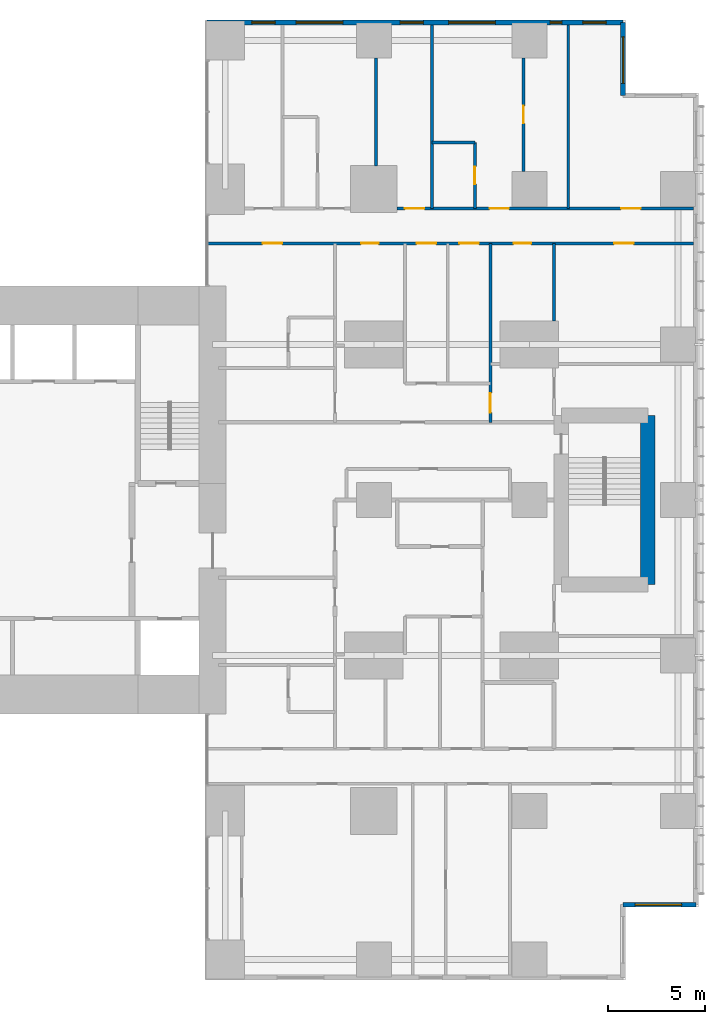
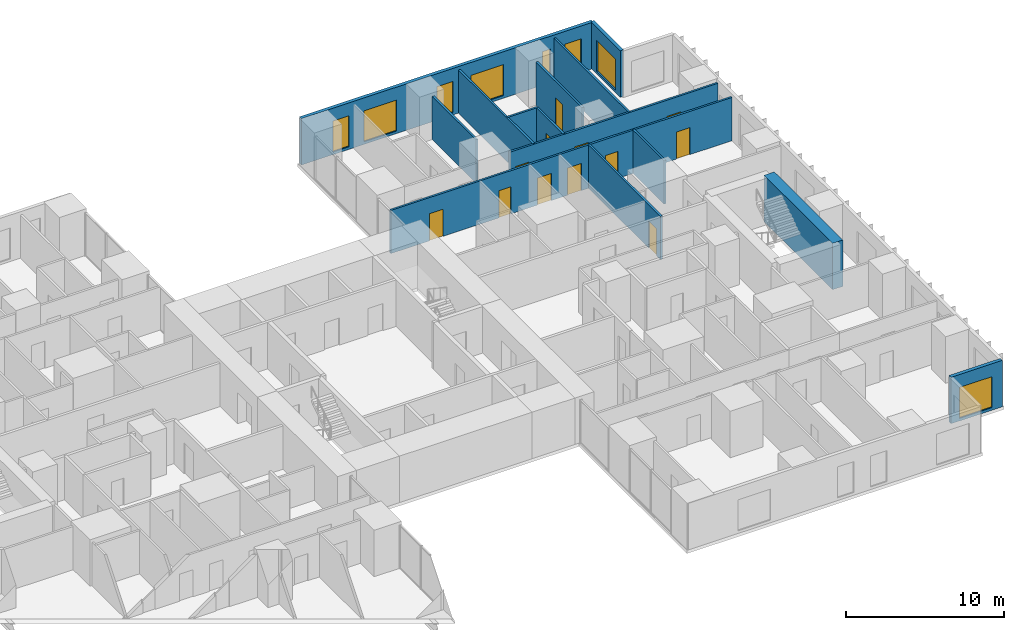
# One storey, part 18 of 20: 14 walls, 12 doors, 8 windows, 20 openings.
"""IFC4 building model written with IfcOpenShell, lengths in metres."""

from ifc_helpers import new_model, si_unit, direction, frame, frame_2d, origin, place, context, subcontext, project, spatial, rectangle, extrude, material, layer, layer_set, type_object, element, fill, save


model = new_model("IFC4")

# Units and contexts
model_context = context("Model", 3, precision=1e-05, world=origin(), true_north=direction((0.0, 1.0)))
body_context = subcontext(model_context, "Body", "Model", "MODEL_VIEW")
ifc_project = project(units=[si_unit("LENGTHUNIT", "METRE"), si_unit("AREAUNIT", "SQUARE_METRE"), si_unit("VOLUMEUNIT", "CUBIC_METRE"), si_unit("PLANEANGLEUNIT", "RADIAN"), si_unit("MASSUNIT", "GRAM", prefix="KILO")], contexts=[model_context])

# Site, building, storey
site_placement = place(None, origin())
site = spatial("IfcSite", under=ifc_project, at=site_placement, CompositionType="ELEMENT")
building_placement = place(site_placement, origin())
building = spatial("IfcBuilding", under=site, at=building_placement, Name="Cleftline Residences", CompositionType="ELEMENT")
storey_placement = place(building_placement, frame((0.0, 0.0, 207.39990234375)))
storey = spatial("IfcBuildingStorey", under=building, at=storey_placement, Name="L54", CompositionType="ELEMENT", Elevation=207.39990234375)

# Wall, opening, window
ifc_material_1 = material(Name="Rendered reinforced concrete blockwork", Category="masonry")
ifc_layer_1 = layer(ifc_material_1, 0.25)
ifc_layer_set_1 = layer_set([ifc_layer_1], Name="EXTERNAL WALL 250")
wall_type_1 = type_object("IfcWallType", Name="EXTERNAL WALL 250", PredefinedType="SOLIDWALL", material=ifc_layer_set_1)
wall_1_placement = place(storey_placement, frame((62.824951171875, 3.175048828125, 0.0), z_axis=(0.0, 0.0, 1.0), x_axis=(1.0, 0.0, 0.0)))
wall_1 = element("IfcWall", 1, at=wall_1_placement, inside=storey, type_object=wall_type_1, Name="External wall", PredefinedType="SOLIDWALL", context=body_context, shape_type="SweptSolid", body=[
    extrude(rectangle(XDim=3.75, YDim=0.25, at=frame_2d((1.875, 0.0))), origin(), (0.0, 0.0, 1.0), 3.60009765625),
])
opening_1_placement = place(wall_1_placement, frame((0.612548828125, 0.0, 0.199951171875)))
opening_1 = element("IfcOpeningElement", 2, at=opening_1_placement, cuts=wall_1, Name="Opening W9", PredefinedType="OPENING", context=body_context, shape_type="SweptSolid", body=[
    extrude(rectangle(XDim=2.39990234375, YDim=2.39990234375, at=frame_2d((1.199951171875, 1.199951171875))), frame((0.0, 0.135009765625, 0.0), z_axis=(0.0, -1.0, 0.0), x_axis=(1.0, 0.0, 0.0)), (0.0, 0.0, 1.0), 0.27001953125),
])
ifc_material_2 = material(Name="Aluminium frame, clear double glazing", Category="aluminium")
window_type_1 = type_object("IfcWindowType", Name="WINDOW 2400X2400", PartitioningType="DOUBLE_PANEL_VERTICAL", PredefinedType="WINDOW", material=ifc_material_2)
window_1_placement = place(opening_1_placement, origin())
window_1 = element("IfcWindow", 3, at=window_1_placement, inside=storey, type_object=window_type_1, Name="Window", OverallHeight=2.39990234375, OverallWidth=2.39990234375, PartitioningType="SINGLE_PANEL", PredefinedType="WINDOW", context=body_context, shape_type="SweptSolid", body=[
    extrude(rectangle(XDim=2.39990234375, YDim=2.39990234375, at=frame_2d((1.199951171875, 1.199951171875))), frame((0.0, 0.030029296875, 0.0), z_axis=(0.0, -1.0, 0.0), x_axis=(1.0, 0.0, 0.0)), (0.0, 0.0, 1.0), 0.06005859375),
])
fill(opening_1, window_1)

wall_2_placement = place(storey_placement, frame((62.824951171875, 44.824951171875, 0.0), z_axis=(0.0, 0.0, 1.0), x_axis=(0.0, 1.0, 0.0)))
wall_2 = element("IfcWall", 4, at=wall_2_placement, inside=storey, type_object=wall_type_1, Name="External wall", PredefinedType="SOLIDWALL", context=body_context, shape_type="SweptSolid", body=[
    extrude(rectangle(XDim=3.75, YDim=0.25, at=frame_2d((1.875, 0.0))), origin(), (0.0, 0.0, 1.0), 3.60009765625),
])
opening_2_placement = place(wall_2_placement, frame((0.612548828125, 0.0, 0.199951171875)))
opening_2 = element("IfcOpeningElement", 5, at=opening_2_placement, cuts=wall_2, Name="Opening W9", PredefinedType="OPENING", context=body_context, shape_type="SweptSolid", body=[
    extrude(rectangle(XDim=2.39990234375, YDim=2.39990234375, at=frame_2d((1.199951171875, 1.199951171875))), frame((0.0, 0.135009765625, 0.0), z_axis=(0.0, -1.0, 0.0), x_axis=(1.0, 0.0, 0.0)), (0.0, 0.0, 1.0), 0.27001953125),
])
window_2_placement = place(opening_2_placement, origin())
window_2 = element("IfcWindow", 6, at=window_2_placement, inside=storey, type_object=window_type_1, Name="Window", OverallHeight=2.39990234375, OverallWidth=2.39990234375, PartitioningType="SINGLE_PANEL", PredefinedType="WINDOW", context=body_context, shape_type="SweptSolid", body=[
    extrude(rectangle(XDim=2.39990234375, YDim=2.39990234375, at=frame_2d((1.199951171875, 1.199951171875))), frame((0.0, 0.030029296875, 0.0), z_axis=(0.0, -1.0, 0.0), x_axis=(1.0, 0.0, 0.0)), (0.0, 0.0, 1.0), 0.06005859375),
])
fill(opening_2, window_2)

# Wall, openings, windows
wall_3_placement = place(storey_placement, frame((62.824951171875, 48.574951171875, 0.0), z_axis=(0.0, 0.0, 1.0), x_axis=(-1.0, 0.0, 0.0)))
wall_3 = element("IfcWall", 7, at=wall_3_placement, inside=storey, type_object=wall_type_1, Name="External wall", PredefinedType="SOLIDWALL", context=body_context, shape_type="SweptSolid", body=[
    extrude(rectangle(XDim=21.39990234375, YDim=0.25, at=frame_2d((10.699951171875, 0.0))), origin(), (0.0, 0.0, 1.0), 3.60009765625),
])
opening_3_placement = place(wall_3_placement, frame((0.875, 0.0, 0.199951171875)))
opening_3 = element("IfcOpeningElement", 8, at=opening_3_placement, cuts=wall_3, Name="Opening W13", PredefinedType="OPENING", context=body_context, shape_type="SweptSolid", body=[
    extrude(rectangle(XDim=1.199951171875, YDim=2.39990234375, at=frame_2d((0.60009765625, 1.199951171875))), frame((0.0, 0.135009765625, 0.0), z_axis=(0.0, -1.0, 0.0), x_axis=(1.0, 0.0, 0.0)), (0.0, 0.0, 1.0), 0.27001953125),
])
opening_4_placement = place(wall_3_placement, frame((3.14990234375, 0.0, 0.199951171875)))
opening_4 = element("IfcOpeningElement", 9, at=opening_4_placement, cuts=wall_3, Name="Opening W14", PredefinedType="OPENING", context=body_context, shape_type="SweptSolid", body=[
    extrude(rectangle(XDim=0.60009765625, YDim=2.39990234375, at=frame_2d((0.300048828125, 1.199951171875))), frame((0.0, 0.135009765625, 0.0), z_axis=(0.0, -1.0, 0.0), x_axis=(1.0, 0.0, 0.0)), (0.0, 0.0, 1.0), 0.27001953125),
])
opening_5_placement = place(wall_3_placement, frame((6.574951171875, 0.0, 0.199951171875)))
opening_5 = element("IfcOpeningElement", 10, at=opening_5_placement, cuts=wall_3, Name="Opening W9", PredefinedType="OPENING", context=body_context, shape_type="SweptSolid", body=[
    extrude(rectangle(XDim=2.39990234375, YDim=2.39990234375, at=frame_2d((1.199951171875, 1.199951171875))), frame((0.0, 0.135009765625, 0.0), z_axis=(0.0, -1.0, 0.0), x_axis=(1.0, 0.0, 0.0)), (0.0, 0.0, 1.0), 0.27001953125),
])
opening_6_placement = place(wall_3_placement, frame((10.27490234375, 0.0, 0.199951171875)))
opening_6 = element("IfcOpeningElement", 11, at=opening_6_placement, cuts=wall_3, Name="Opening W13", PredefinedType="OPENING", context=body_context, shape_type="SweptSolid", body=[
    extrude(rectangle(XDim=1.199951171875, YDim=2.39990234375, at=frame_2d((0.60009765625, 1.199951171875))), frame((0.0, 0.135009765625, 0.0), z_axis=(0.0, -1.0, 0.0), x_axis=(1.0, 0.0, 0.0)), (0.0, 0.0, 1.0), 0.27001953125),
])
opening_7_placement = place(wall_3_placement, frame((14.425048828125, 0.0, 0.199951171875)))
opening_7 = element("IfcOpeningElement", 12, at=opening_7_placement, cuts=wall_3, Name="Opening W9", PredefinedType="OPENING", context=body_context, shape_type="SweptSolid", body=[
    extrude(rectangle(XDim=2.39990234375, YDim=2.39990234375, at=frame_2d((1.199951171875, 1.199951171875))), frame((0.0, 0.135009765625, 0.0), z_axis=(0.0, -1.0, 0.0), x_axis=(1.0, 0.0, 0.0)), (0.0, 0.0, 1.0), 0.27001953125),
])
opening_8_placement = place(wall_3_placement, frame((17.89990234375, 0.0, 0.199951171875)))
opening_8 = element("IfcOpeningElement", 13, at=opening_8_placement, cuts=wall_3, Name="Opening W13", PredefinedType="OPENING", context=body_context, shape_type="SweptSolid", body=[
    extrude(rectangle(XDim=1.199951171875, YDim=2.39990234375, at=frame_2d((0.60009765625, 1.199951171875))), frame((0.0, 0.135009765625, 0.0), z_axis=(0.0, -1.0, 0.0), x_axis=(1.0, 0.0, 0.0)), (0.0, 0.0, 1.0), 0.27001953125),
])
ifc_material_3 = material(Name="Aluminium frame, clear double glazing", Category="aluminium")
window_type_2 = type_object("IfcWindowType", Name="WINDOW 1200X2400", PartitioningType="DOUBLE_PANEL_VERTICAL", PredefinedType="WINDOW", material=ifc_material_3)
window_3_placement = place(opening_3_placement, origin())
window_3 = element("IfcWindow", 14, at=window_3_placement, inside=storey, type_object=window_type_2, Name="Window", OverallHeight=2.39990234375, OverallWidth=1.199951171875, PartitioningType="SINGLE_PANEL", PredefinedType="WINDOW", context=body_context, shape_type="SweptSolid", body=[
    extrude(rectangle(XDim=1.199951171875, YDim=2.39990234375, at=frame_2d((0.60009765625, 1.199951171875))), frame((0.0, 0.030029296875, 0.0), z_axis=(0.0, -1.0, 0.0), x_axis=(1.0, 0.0, 0.0)), (0.0, 0.0, 1.0), 0.06005859375),
])
fill(opening_3, window_3)
window_4_placement = place(opening_6_placement, origin())
window_4 = element("IfcWindow", 15, at=window_4_placement, inside=storey, type_object=window_type_2, Name="Window", OverallHeight=2.39990234375, OverallWidth=1.199951171875, PartitioningType="SINGLE_PANEL", PredefinedType="WINDOW", context=body_context, shape_type="SweptSolid", body=[
    extrude(rectangle(XDim=1.199951171875, YDim=2.39990234375, at=frame_2d((0.60009765625, 1.199951171875))), frame((0.0, 0.030029296875, 0.0), z_axis=(0.0, -1.0, 0.0), x_axis=(1.0, 0.0, 0.0)), (0.0, 0.0, 1.0), 0.06005859375),
])
fill(opening_6, window_4)
window_5_placement = place(opening_8_placement, origin())
window_5 = element("IfcWindow", 16, at=window_5_placement, inside=storey, type_object=window_type_2, Name="Window", OverallHeight=2.39990234375, OverallWidth=1.199951171875, PartitioningType="SINGLE_PANEL", PredefinedType="WINDOW", context=body_context, shape_type="SweptSolid", body=[
    extrude(rectangle(XDim=1.199951171875, YDim=2.39990234375, at=frame_2d((0.60009765625, 1.199951171875))), frame((0.0, 0.030029296875, 0.0), z_axis=(0.0, -1.0, 0.0), x_axis=(1.0, 0.0, 0.0)), (0.0, 0.0, 1.0), 0.06005859375),
])
fill(opening_8, window_5)
window_6_placement = place(opening_5_placement, origin())
window_6 = element("IfcWindow", 17, at=window_6_placement, inside=storey, type_object=window_type_1, Name="Window", OverallHeight=2.39990234375, OverallWidth=2.39990234375, PartitioningType="SINGLE_PANEL", PredefinedType="WINDOW", context=body_context, shape_type="SweptSolid", body=[
    extrude(rectangle(XDim=2.39990234375, YDim=2.39990234375, at=frame_2d((1.199951171875, 1.199951171875))), frame((0.0, 0.030029296875, 0.0), z_axis=(0.0, -1.0, 0.0), x_axis=(1.0, 0.0, 0.0)), (0.0, 0.0, 1.0), 0.06005859375),
])
fill(opening_5, window_6)
window_7_placement = place(opening_7_placement, origin())
window_7 = element("IfcWindow", 18, at=window_7_placement, inside=storey, type_object=window_type_1, Name="Window", OverallHeight=2.39990234375, OverallWidth=2.39990234375, PartitioningType="SINGLE_PANEL", PredefinedType="WINDOW", context=body_context, shape_type="SweptSolid", body=[
    extrude(rectangle(XDim=2.39990234375, YDim=2.39990234375, at=frame_2d((1.199951171875, 1.199951171875))), frame((0.0, 0.030029296875, 0.0), z_axis=(0.0, -1.0, 0.0), x_axis=(1.0, 0.0, 0.0)), (0.0, 0.0, 1.0), 0.06005859375),
])
fill(opening_7, window_7)
ifc_material_4 = material(Name="Aluminium frame, clear double glazing", Category="aluminium")
window_type_3 = type_object("IfcWindowType", Name="WINDOW 600X2400", PartitioningType="DOUBLE_PANEL_VERTICAL", PredefinedType="WINDOW", material=ifc_material_4)
window_8_placement = place(opening_4_placement, origin())
window_8 = element("IfcWindow", 19, at=window_8_placement, inside=storey, type_object=window_type_3, Name="Window", OverallHeight=2.39990234375, OverallWidth=0.60009765625, PartitioningType="SINGLE_PANEL", PredefinedType="WINDOW", context=body_context, shape_type="SweptSolid", body=[
    extrude(rectangle(XDim=0.60009765625, YDim=2.39990234375, at=frame_2d((0.300048828125, 1.199951171875))), frame((0.0, 0.030029296875, 0.0), z_axis=(0.0, -1.0, 0.0), x_axis=(1.0, 0.0, 0.0)), (0.0, 0.0, 1.0), 0.06005859375),
])
fill(opening_4, window_8)

# Wall, openings, doors
ifc_material_5 = material(Name="Gypsum board on steel studs", Category="steel")
ifc_layer_2 = layer(ifc_material_5, 0.14990234375)
ifc_layer_set_2 = layer_set([ifc_layer_2], Name="PARTITION 150")
wall_type_2 = type_object("IfcWallType", Name="PARTITION 150", PredefinedType="PARTITIONING", material=ifc_layer_set_2)
wall_4_placement = place(storey_placement, frame((41.43896484375, 37.199951171875, 0.0), z_axis=(0.0, 0.0, 1.0), x_axis=(1.0, 0.0, 0.0)))
wall_4 = element("IfcWall", 20, at=wall_4_placement, inside=storey, type_object=wall_type_2, Name="Partition", PredefinedType="PARTITIONING", context=body_context, shape_type="SweptSolid", body=[
    extrude(rectangle(XDim=25.010986328125, YDim=0.14990234375, at=frame_2d((12.50537109375, 0.0))), origin(), (0.0, 0.0, 1.0), 3.35009765625),
])
opening_9_placement = place(wall_4_placement, frame((10.760986328125, 0.0, 0.0)))
opening_9 = element("IfcOpeningElement", 21, at=opening_9_placement, cuts=wall_4, Name="Opening D2", PredefinedType="OPENING", context=body_context, shape_type="SweptSolid", body=[
    extrude(rectangle(XDim=1.0, YDim=2.10009765625, at=frame_2d((0.5, 1.050048828125))), frame((0.0, 0.0849609375, 0.0), z_axis=(0.0, -1.0, 0.0), x_axis=(1.0, 0.0, 0.0)), (0.0, 0.0, 1.0), 0.169921875),
])
opening_10_placement = place(wall_4_placement, frame((20.923583984375, 0.0, 0.0)))
opening_10 = element("IfcOpeningElement", 22, at=opening_10_placement, cuts=wall_4, Name="Opening D2", PredefinedType="OPENING", context=body_context, shape_type="SweptSolid", body=[
    extrude(rectangle(XDim=1.0, YDim=2.10009765625, at=frame_2d((0.5, 1.050048828125))), frame((0.0, 0.0849609375, 0.0), z_axis=(0.0, -1.0, 0.0), x_axis=(1.0, 0.0, 0.0)), (0.0, 0.0, 1.0), 0.169921875),
])
opening_11_placement = place(wall_4_placement, frame((15.74853515625, 0.0, 0.0)))
opening_11 = element("IfcOpeningElement", 23, at=opening_11_placement, cuts=wall_4, Name="Opening D1", PredefinedType="OPENING", context=body_context, shape_type="SweptSolid", body=[
    extrude(rectangle(XDim=0.89990234375, YDim=2.10009765625, at=frame_2d((0.449951171875, 1.050048828125))), frame((0.0, 0.0849609375, 0.0), z_axis=(0.0, -1.0, 0.0), x_axis=(1.0, 0.0, 0.0)), (0.0, 0.0, 1.0), 0.169921875),
])
opening_12_placement = place(wall_4_placement, frame((12.9609375, 0.0, 0.0)))
opening_12 = element("IfcOpeningElement", 24, at=opening_12_placement, cuts=wall_4, Name="Opening D2", PredefinedType="OPENING", context=body_context, shape_type="SweptSolid", body=[
    extrude(rectangle(XDim=1.0, YDim=2.10009765625, at=frame_2d((0.5, 1.050048828125))), frame((0.0, 0.0849609375, 0.0), z_axis=(0.0, -1.0, 0.0), x_axis=(1.0, 0.0, 0.0)), (0.0, 0.0, 1.0), 0.169921875),
])
opening_13_placement = place(wall_4_placement, frame((7.910888671875, 0.0, 0.0)))
opening_13 = element("IfcOpeningElement", 25, at=opening_13_placement, cuts=wall_4, Name="Opening D1", PredefinedType="OPENING", context=body_context, shape_type="SweptSolid", body=[
    extrude(rectangle(XDim=0.89990234375, YDim=2.10009765625, at=frame_2d((0.449951171875, 1.050048828125))), frame((0.0, 0.0849609375, 0.0), z_axis=(0.0, -1.0, 0.0), x_axis=(1.0, 0.0, 0.0)), (0.0, 0.0, 1.0), 0.169921875),
])
opening_14_placement = place(wall_4_placement, frame((2.8359375, 0.0, 0.0)))
opening_14 = element("IfcOpeningElement", 26, at=opening_14_placement, cuts=wall_4, Name="Opening D2", PredefinedType="OPENING", context=body_context, shape_type="SweptSolid", body=[
    extrude(rectangle(XDim=1.0, YDim=2.10009765625, at=frame_2d((0.5, 1.050048828125))), frame((0.0, 0.0849609375, 0.0), z_axis=(0.0, -1.0, 0.0), x_axis=(1.0, 0.0, 0.0)), (0.0, 0.0, 1.0), 0.169921875),
])
ifc_material_6 = material(Name="Timber veneer on solid core", Category="wood")
door_type_1 = type_object("IfcDoorType", Name="DOOR 1000X2100", OperationType="SINGLE_SWING_LEFT", PredefinedType="DOOR", material=ifc_material_6)
door_1_placement = place(opening_9_placement, origin())
door_1 = element("IfcDoor", 27, at=door_1_placement, inside=storey, type_object=door_type_1, Name="Door to residence hall", OperationType="SINGLE_SWING_RIGHT", OverallHeight=2.10009765625, OverallWidth=1.0, PredefinedType="DOOR", context=body_context, shape_type="SweptSolid", body=[
    extrude(rectangle(XDim=1.0, YDim=2.10009765625, at=frame_2d((0.5, 1.050048828125))), frame((0.0, 0.02490234375, 0.0), z_axis=(0.0, -1.0, 0.0), x_axis=(1.0, 0.0, 0.0)), (0.0, 0.0, 1.0), 0.050048828125),
])
fill(opening_9, door_1)
door_2_placement = place(opening_10_placement, origin())
door_2 = element("IfcDoor", 28, at=door_2_placement, inside=storey, type_object=door_type_1, Name="Door to master bedroom", OperationType="SINGLE_SWING_LEFT", OverallHeight=2.10009765625, OverallWidth=1.0, PredefinedType="DOOR", context=body_context, shape_type="SweptSolid", body=[
    extrude(rectangle(XDim=1.0, YDim=2.10009765625, at=frame_2d((0.5, 1.050048828125))), frame((0.0, 0.02490234375, 0.0), z_axis=(0.0, -1.0, 0.0), x_axis=(1.0, 0.0, 0.0)), (0.0, 0.0, 1.0), 0.050048828125),
])
fill(opening_10, door_2)
door_3_placement = place(opening_12_placement, origin())
door_3 = element("IfcDoor", 29, at=door_3_placement, inside=storey, type_object=door_type_1, Name="Door to family room", OperationType="SINGLE_SWING_LEFT", OverallHeight=2.10009765625, OverallWidth=1.0, PredefinedType="DOOR", context=body_context, shape_type="SweptSolid", body=[
    extrude(rectangle(XDim=1.0, YDim=2.10009765625, at=frame_2d((0.5, 1.050048828125))), frame((0.0, 0.02490234375, 0.0), z_axis=(0.0, -1.0, 0.0), x_axis=(1.0, 0.0, 0.0)), (0.0, 0.0, 1.0), 0.050048828125),
])
fill(opening_12, door_3)
door_4_placement = place(opening_14_placement, origin())
door_4 = element("IfcDoor", 30, at=door_4_placement, inside=storey, type_object=door_type_1, Name="Door to bedroom 4", OperationType="SINGLE_SWING_RIGHT", OverallHeight=2.10009765625, OverallWidth=1.0, PredefinedType="DOOR", context=body_context, shape_type="SweptSolid", body=[
    extrude(rectangle(XDim=1.0, YDim=2.10009765625, at=frame_2d((0.5, 1.050048828125))), frame((0.0, 0.02490234375, 0.0), z_axis=(0.0, -1.0, 0.0), x_axis=(1.0, 0.0, 0.0)), (0.0, 0.0, 1.0), 0.050048828125),
])
fill(opening_14, door_4)
ifc_material_7 = material(Name="Timber veneer on solid core", Category="wood")
door_type_2 = type_object("IfcDoorType", Name="DOOR 900X2100", OperationType="SINGLE_SWING_LEFT", PredefinedType="DOOR", material=ifc_material_7)
door_5_placement = place(opening_11_placement, origin())
door_5 = element("IfcDoor", 31, at=door_5_placement, inside=storey, type_object=door_type_2, Name="Door to master bathroom", OperationType="SINGLE_SWING_LEFT", OverallHeight=2.10009765625, OverallWidth=0.89990234375, PredefinedType="DOOR", context=body_context, shape_type="SweptSolid", body=[
    extrude(rectangle(XDim=0.89990234375, YDim=2.10009765625, at=frame_2d((0.449951171875, 1.050048828125))), frame((0.0, 0.02490234375, 0.0), z_axis=(0.0, -1.0, 0.0), x_axis=(1.0, 0.0, 0.0)), (0.0, 0.0, 1.0), 0.050048828125),
])
fill(opening_11, door_5)
door_6_placement = place(opening_13_placement, origin())
door_6 = element("IfcDoor", 32, at=door_6_placement, inside=storey, type_object=door_type_2, Name="Door to master dressing room", OperationType="SINGLE_SWING_RIGHT", OverallHeight=2.10009765625, OverallWidth=0.89990234375, PredefinedType="DOOR", context=body_context, shape_type="SweptSolid", body=[
    extrude(rectangle(XDim=0.89990234375, YDim=2.10009765625, at=frame_2d((0.449951171875, 1.050048828125))), frame((0.0, 0.02490234375, 0.0), z_axis=(0.0, -1.0, 0.0), x_axis=(1.0, 0.0, 0.0)), (0.0, 0.0, 1.0), 0.050048828125),
])
fill(opening_13, door_6)

wall_5_placement = place(storey_placement, frame((51.199951171875, 39.0, 0.0), z_axis=(0.0, 0.0, 1.0), x_axis=(1.0, 0.0, 0.0)))
wall_5 = element("IfcWall", 33, at=wall_5_placement, inside=storey, type_object=wall_type_2, Name="Partition", PredefinedType="PARTITIONING", context=body_context, shape_type="SweptSolid", body=[
    extrude(rectangle(XDim=15.25, YDim=0.14990234375, at=frame_2d((7.625, 0.0))), origin(), (0.0, 0.0, 1.0), 3.35009765625),
])
opening_15_placement = place(wall_5_placement, frame((11.52490234375, 0.0, 0.0)))
opening_15 = element("IfcOpeningElement", 34, at=opening_15_placement, cuts=wall_5, Name="Opening D2", PredefinedType="OPENING", context=body_context, shape_type="SweptSolid", body=[
    extrude(rectangle(XDim=1.0, YDim=2.10009765625, at=frame_2d((0.5, 1.050048828125))), frame((0.0, 0.0849609375, 0.0), z_axis=(0.0, -1.0, 0.0), x_axis=(1.0, 0.0, 0.0)), (0.0, 0.0, 1.0), 0.169921875),
])
opening_16_placement = place(wall_5_placement, frame((4.75, 0.0, 0.0)))
opening_16 = element("IfcOpeningElement", 35, at=opening_16_placement, cuts=wall_5, Name="Opening D2", PredefinedType="OPENING", context=body_context, shape_type="SweptSolid", body=[
    extrude(rectangle(XDim=1.0, YDim=2.10009765625, at=frame_2d((0.5, 1.050048828125))), frame((0.0, 0.0849609375, 0.0), z_axis=(0.0, -1.0, 0.0), x_axis=(1.0, 0.0, 0.0)), (0.0, 0.0, 1.0), 0.169921875),
])
opening_17_placement = place(wall_5_placement, frame((0.39990234375, 0.0, 0.0)))
opening_17 = element("IfcOpeningElement", 36, at=opening_17_placement, cuts=wall_5, Name="Opening D2", PredefinedType="OPENING", context=body_context, shape_type="SweptSolid", body=[
    extrude(rectangle(XDim=1.0, YDim=2.10009765625, at=frame_2d((0.5, 1.050048828125))), frame((0.0, 0.0849609375, 0.0), z_axis=(0.0, -1.0, 0.0), x_axis=(1.0, 0.0, 0.0)), (0.0, 0.0, 1.0), 0.169921875),
])
door_7_placement = place(opening_15_placement, origin())
door_7 = element("IfcDoor", 37, at=door_7_placement, inside=storey, type_object=door_type_1, Name="Door to gym", OperationType="SINGLE_SWING_LEFT", OverallHeight=2.10009765625, OverallWidth=1.0, PredefinedType="DOOR", context=body_context, shape_type="SweptSolid", body=[
    extrude(rectangle(XDim=1.0, YDim=2.10009765625, at=frame_2d((0.5, 1.050048828125))), frame((0.0, 0.02490234375, 0.0), z_axis=(0.0, -1.0, 0.0), x_axis=(1.0, 0.0, 0.0)), (0.0, 0.0, 1.0), 0.050048828125),
])
fill(opening_15, door_7)
door_8_placement = place(opening_16_placement, origin())
door_8 = element("IfcDoor", 38, at=door_8_placement, inside=storey, type_object=door_type_1, Name="Door to bedroom 2", OperationType="SINGLE_SWING_RIGHT", OverallHeight=2.10009765625, OverallWidth=1.0, PredefinedType="DOOR", context=body_context, shape_type="SweptSolid", body=[
    extrude(rectangle(XDim=1.0, YDim=2.10009765625, at=frame_2d((0.5, 1.050048828125))), frame((0.0, 0.02490234375, 0.0), z_axis=(0.0, -1.0, 0.0), x_axis=(1.0, 0.0, 0.0)), (0.0, 0.0, 1.0), 0.050048828125),
])
fill(opening_16, door_8)
door_9_placement = place(opening_17_placement, origin())
door_9 = element("IfcDoor", 39, at=door_9_placement, inside=storey, type_object=door_type_1, Name="Door to bedroom 3 sitting room", OperationType="SINGLE_SWING_RIGHT", OverallHeight=2.10009765625, OverallWidth=1.0, PredefinedType="DOOR", context=body_context, shape_type="SweptSolid", body=[
    extrude(rectangle(XDim=1.0, YDim=2.10009765625, at=frame_2d((0.5, 1.050048828125))), frame((0.0, 0.02490234375, 0.0), z_axis=(0.0, -1.0, 0.0), x_axis=(1.0, 0.0, 0.0)), (0.0, 0.0, 1.0), 0.050048828125),
])
fill(opening_17, door_9)

# Walls
wall_6_placement = place(storey_placement, frame((53.0, 42.39990234375, 0.0), z_axis=(0.0, 0.0, 1.0), x_axis=(1.0, 0.0, 0.0)))
element("IfcWall", 40, at=wall_6_placement, inside=storey, type_object=wall_type_2, Name="Partition", PredefinedType="PARTITIONING", context=body_context, shape_type="SweptSolid", body=[
    extrude(rectangle(XDim=2.199951171875, YDim=0.14990234375, at=frame_2d((1.10009765625, 0.0))), origin(), (0.0, 0.0, 1.0), 3.35009765625),
])
wall_7_placement = place(storey_placement, frame((50.10009765625, 41.199951171875, 0.0), z_axis=(0.0, 0.0, 1.0), x_axis=(0.0, 1.0, 0.0)))
element("IfcWall", 41, at=wall_7_placement, inside=storey, type_object=wall_type_2, Name="Partition", PredefinedType="PARTITIONING", context=body_context, shape_type="SweptSolid", body=[
    extrude(rectangle(XDim=5.550048828125, YDim=0.14990234375, at=frame_2d((2.77490234375, 0.0))), origin(), (0.0, 0.0, 1.0), 3.35009765625),
])
wall_8_placement = place(storey_placement, frame((53.0, 39.0, 0.0), z_axis=(0.0, 0.0, 1.0), x_axis=(0.0, 1.0, 0.0)))
element("IfcWall", 42, at=wall_8_placement, inside=storey, type_object=wall_type_2, Name="Partition", PredefinedType="PARTITIONING", context=body_context, shape_type="SweptSolid", body=[
    extrude(rectangle(XDim=9.449951171875, YDim=0.14990234375, at=frame_2d((4.72509765625, 0.0))), origin(), (0.0, 0.0, 1.0), 3.35009765625),
])

# Wall, opening, door
wall_9_placement = place(storey_placement, frame((55.199951171875, 39.0, 0.0), z_axis=(0.0, 0.0, 1.0), x_axis=(0.0, 1.0, 0.0)))
wall_9 = element("IfcWall", 43, at=wall_9_placement, inside=storey, type_object=wall_type_2, Name="Partition", PredefinedType="PARTITIONING", context=body_context, shape_type="SweptSolid", body=[
    extrude(rectangle(XDim=3.39990234375, YDim=0.14990234375, at=frame_2d((1.699951171875, 0.0))), origin(), (0.0, 0.0, 1.0), 3.35009765625),
])
opening_18_placement = place(wall_9_placement, frame((1.25, 0.0, 0.0)))
opening_18 = element("IfcOpeningElement", 44, at=opening_18_placement, cuts=wall_9, Name="Opening D1", PredefinedType="OPENING", context=body_context, shape_type="SweptSolid", body=[
    extrude(rectangle(XDim=0.89990234375, YDim=2.10009765625, at=frame_2d((0.449951171875, 1.050048828125))), frame((0.0, 0.0849609375, 0.0), z_axis=(0.0, -1.0, 0.0), x_axis=(1.0, 0.0, 0.0)), (0.0, 0.0, 1.0), 0.169921875),
])
door_10_placement = place(opening_18_placement, origin())
door_10 = element("IfcDoor", 45, at=door_10_placement, inside=storey, type_object=door_type_2, Name="Door to en-suite bathroom 2", OperationType="SINGLE_SWING_LEFT", OverallHeight=2.10009765625, OverallWidth=0.89990234375, PredefinedType="DOOR", context=body_context, shape_type="SweptSolid", body=[
    extrude(rectangle(XDim=0.89990234375, YDim=2.10009765625, at=frame_2d((0.449951171875, 1.050048828125))), frame((0.0, 0.02490234375, 0.0), z_axis=(0.0, -1.0, 0.0), x_axis=(1.0, 0.0, 0.0)), (0.0, 0.0, 1.0), 0.050048828125),
])
fill(opening_18, door_10)

wall_10_placement = place(storey_placement, frame((56.0, 28.0, 0.0), z_axis=(0.0, 0.0, 1.0), x_axis=(0.0, 1.0, 0.0)))
wall_10 = element("IfcWall", 46, at=wall_10_placement, inside=storey, type_object=wall_type_2, Name="Partition", PredefinedType="PARTITIONING", context=body_context, shape_type="SweptSolid", body=[
    extrude(rectangle(XDim=9.199951171875, YDim=0.14990234375, at=frame_2d((4.60009765625, 0.0))), origin(), (0.0, 0.0, 1.0), 3.35009765625),
])
opening_19_placement = place(wall_10_placement, frame((0.5, 0.0, 0.0)))
opening_19 = element("IfcOpeningElement", 47, at=opening_19_placement, cuts=wall_10, Name="Opening D2F30", PredefinedType="OPENING", context=body_context, shape_type="SweptSolid", body=[
    extrude(rectangle(XDim=1.0, YDim=2.10009765625, at=frame_2d((0.5, 1.050048828125))), frame((0.0, 0.0849609375, 0.0), z_axis=(0.0, -1.0, 0.0), x_axis=(1.0, 0.0, 0.0)), (0.0, 0.0, 1.0), 0.169921875),
])
ifc_material_8 = material(Name="Timber veneer on solid core", Category="wood")
door_type_3 = type_object("IfcDoorType", Name="DOOR 1000X2100 EI 30", OperationType="SINGLE_SWING_LEFT", PredefinedType="DOOR", material=ifc_material_8)
door_11_placement = place(opening_19_placement, origin())
door_11 = element("IfcDoor", 48, at=door_11_placement, inside=storey, type_object=door_type_3, Name="Door to residence lobby (service)", OperationType="SINGLE_SWING_RIGHT", OverallHeight=2.10009765625, OverallWidth=1.0, PredefinedType="DOOR", context=body_context, shape_type="SweptSolid", body=[
    extrude(rectangle(XDim=1.0, YDim=2.10009765625, at=frame_2d((0.5, 1.050048828125))), frame((0.0, 0.02490234375, 0.0), z_axis=(0.0, -1.0, 0.0), x_axis=(1.0, 0.0, 0.0)), (0.0, 0.0, 1.0), 0.050048828125),
])
fill(opening_19, door_11)

wall_11_placement = place(storey_placement, frame((57.699951171875, 40.89990234375, 0.0), z_axis=(0.0, 0.0, 1.0), x_axis=(0.0, 1.0, 0.0)))
wall_11 = element("IfcWall", 49, at=wall_11_placement, inside=storey, type_object=wall_type_2, Name="Partition", PredefinedType="PARTITIONING", context=body_context, shape_type="SweptSolid", body=[
    extrude(rectangle(XDim=5.85009765625, YDim=0.14990234375, at=frame_2d((2.925048828125, 0.0))), origin(), (0.0, 0.0, 1.0), 3.35009765625),
])
opening_20_placement = place(wall_11_placement, frame((2.47509765625, 0.0, 0.0)))
opening_20 = element("IfcOpeningElement", 50, at=opening_20_placement, cuts=wall_11, Name="Opening D1", PredefinedType="OPENING", context=body_context, shape_type="SweptSolid", body=[
    extrude(rectangle(XDim=0.89990234375, YDim=2.10009765625, at=frame_2d((0.449951171875, 1.050048828125))), frame((0.0, 0.0849609375, 0.0), z_axis=(0.0, -1.0, 0.0), x_axis=(1.0, 0.0, 0.0)), (0.0, 0.0, 1.0), 0.169921875),
])
door_12_placement = place(opening_20_placement, origin())
door_12 = element("IfcDoor", 51, at=door_12_placement, inside=storey, type_object=door_type_2, Name="Door to walk-in wardrobe", OperationType="SINGLE_SWING_LEFT", OverallHeight=2.10009765625, OverallWidth=0.89990234375, PredefinedType="DOOR", context=body_context, shape_type="SweptSolid", body=[
    extrude(rectangle(XDim=0.89990234375, YDim=2.10009765625, at=frame_2d((0.449951171875, 1.050048828125))), frame((0.0, 0.02490234375, 0.0), z_axis=(0.0, -1.0, 0.0), x_axis=(1.0, 0.0, 0.0)), (0.0, 0.0, 1.0), 0.050048828125),
])
fill(opening_20, door_12)

# Walls
wall_12_placement = place(storey_placement, frame((59.27490234375, 33.199951171875, 0.0), z_axis=(0.0, 0.0, 1.0), x_axis=(0.0, 1.0, 0.0)))
element("IfcWall", 52, at=wall_12_placement, inside=storey, type_object=wall_type_2, Name="Partition", PredefinedType="PARTITIONING", context=body_context, shape_type="SweptSolid", body=[
    extrude(rectangle(XDim=4.0, YDim=0.14990234375, at=frame_2d((2.0, 0.0))), origin(), (0.0, 0.0, 1.0), 3.35009765625),
])
wall_13_placement = place(storey_placement, frame((60.0, 39.0, 0.0), z_axis=(0.0, 0.0, 1.0), x_axis=(0.0, 1.0, 0.0)))
element("IfcWall", 53, at=wall_13_placement, inside=storey, type_object=wall_type_2, Name="Partition", PredefinedType="PARTITIONING", context=body_context, shape_type="SweptSolid", body=[
    extrude(rectangle(XDim=9.449951171875, YDim=0.14990234375, at=frame_2d((4.72509765625, 0.0))), origin(), (0.0, 0.0, 1.0), 3.35009765625),
])
ifc_material_9 = material(Name="Concrete B70", Category="concrete")
ifc_layer_3 = layer(ifc_material_9, 0.75)
ifc_layer_set_3 = layer_set([ifc_layer_3], Name="SHEAR WALL 750")
wall_type_3 = type_object("IfcWallType", Name="SHEAR WALL 750", PredefinedType="SHEAR", material=ifc_layer_set_3)
wall_14_placement = place(storey_placement, frame((64.10009765625, 19.64990234375, 0.0), z_axis=(0.0, 0.0, 1.0), x_axis=(0.0, 1.0, 0.0)))
element("IfcWall", 54, at=wall_14_placement, inside=storey, type_object=wall_type_3, Name="Wing shear wall", PredefinedType="SHEAR", context=body_context, shape_type="SweptSolid", body=[
    extrude(rectangle(XDim=8.7001953125, YDim=0.75, at=frame_2d((4.35009765625, 0.0))), origin(), (0.0, 0.0, 1.0), 3.60009765625),
])

save(model, "model.ifc")
